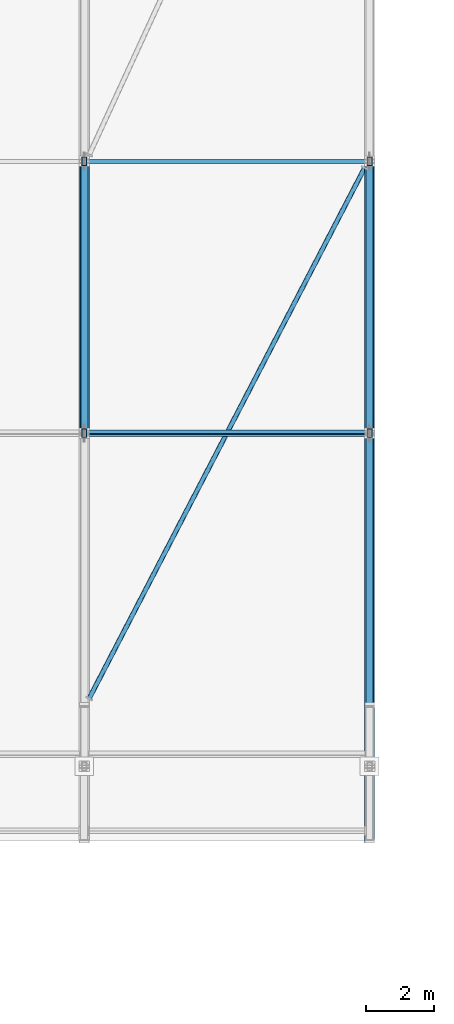
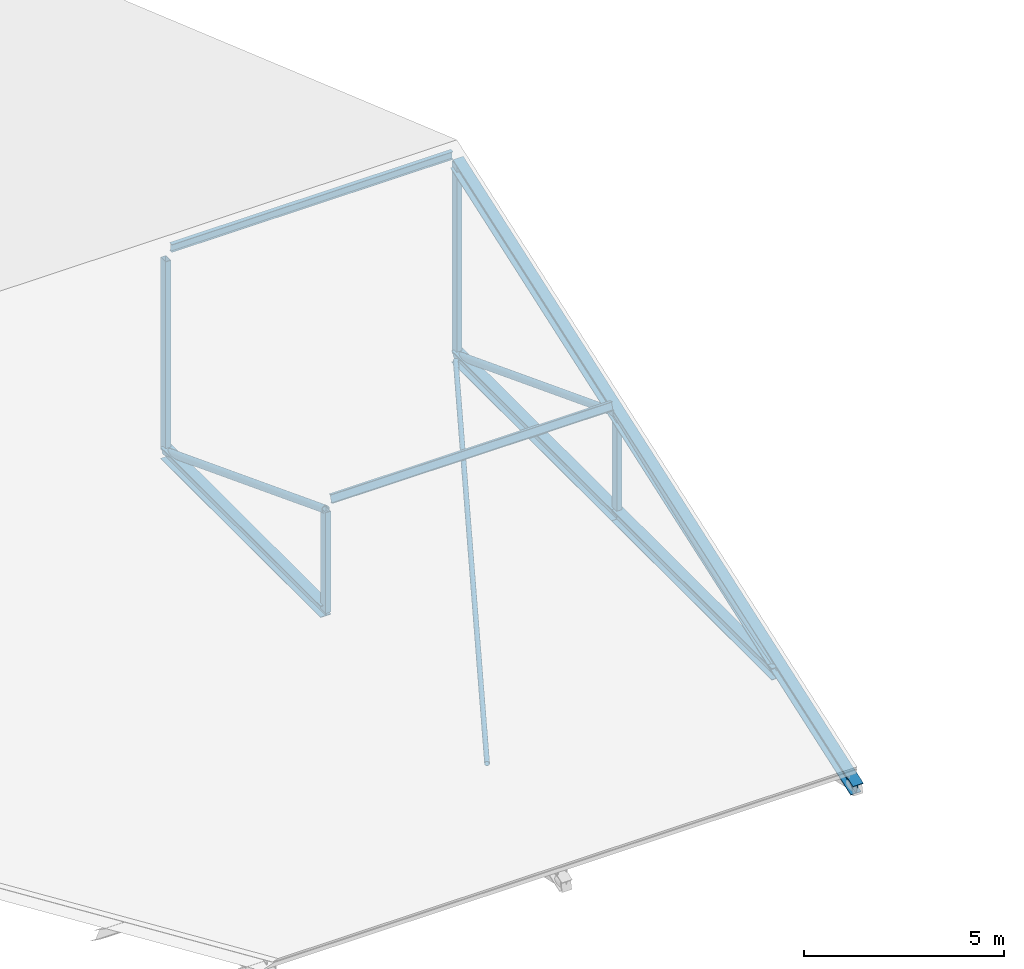
# One storey, part 7 of 57: 13 members, 1 beam.
"""IFC4 building model written with IfcOpenShell, lengths in metres."""

import ifcopenshell
import ifcopenshell.guid

model = None  # the IFC model being written
_history = None  # IfcOwnerHistory: only IFC2X3 demands one
_inside = {}  # id of a spatial element -> (the spatial element, [elements in it])
_under = {}  # id of a project, library or spatial element -> (it, [spatial elements below it])
_declared = {}  # id of a project -> (the project, [libraries it declares])
_typed = {}  # id of a type object -> (the type object, [elements of that type])
_made_of = {}  # id of a material, layer set ... -> (it, [elements and type objects made of it])


def new_model(schema):
    """Start an empty IFC model of exactly this schema.

    Asked for "IFC4X3", IfcOpenShell would pick the latest addendum, in which some entities
    have other attributes; the version numbers below select the first issue.
    IFC2X3 requires an IfcOwnerHistory on every rooted entity: one is made here for all.
    """
    global model, _history
    if schema == "IFC4X3":
        model = ifcopenshell.file(schema_version=(4, 3, 0, 0))
    else:
        model = ifcopenshell.file(schema=schema)
    _inside.clear()
    _under.clear()
    _declared.clear()
    _typed.clear()
    _made_of.clear()
    _history = None
    if model.schema == "IFC2X3":
        org = make("IfcOrganization", Name="unknown")
        user = make(
            "IfcPersonAndOrganization",
            ThePerson=make("IfcPerson", FamilyName="unknown"),
            TheOrganization=org,
        )
        app = make(
            "IfcApplication",
            ApplicationDeveloper=org,
            Version="unknown",
            ApplicationFullName="unknown",
            ApplicationIdentifier="unknown",
        )
        _history = make(
            "IfcOwnerHistory",
            OwningUser=user,
            OwningApplication=app,
            ChangeAction="ADDED",
            CreationDate=0,
        )
    return model


def make(cls, **values):
    """One entity of the class cls with the attributes given. An attribute that is None is left unset."""
    return model.create_entity(
        cls, **{name: value for name, value in values.items() if value is not None}
    )


def rooted(cls, **values):
    """An entity with a GlobalId (a new one), such as an element, a storey or a relation."""
    return make(cls, GlobalId=ifcopenshell.guid.new(), OwnerHistory=_history, **values)


def si_unit(unit_type, name, prefix=None):
    """IfcSIUnit, for example si_unit("LENGTHUNIT", "METRE", prefix="MILLI")."""
    return make("IfcSIUnit", UnitType=unit_type, Prefix=prefix, Name=name)


def assignment(units):
    """IfcUnitAssignment: the units of a project."""
    return None if units is None else make("IfcUnitAssignment", Units=units)


def point(xyz):
    """IfcCartesianPoint."""
    return None if xyz is None else make("IfcCartesianPoint", Coordinates=xyz)


def direction(xyz):
    """IfcDirection."""
    return None if xyz is None else make("IfcDirection", DirectionRatios=xyz)


def frame(location, z_axis=None, x_axis=None):
    """IfcAxis2Placement3D, a coordinate frame: its origin and axes. An axis left out is left unset."""
    return make(
        "IfcAxis2Placement3D",
        Location=point(location),
        Axis=direction(z_axis),
        RefDirection=direction(x_axis),
    )


def frame_2d(location, x_axis=None):
    """IfcAxis2Placement2D, a coordinate frame in the plane: its origin and x axis."""
    return make(
        "IfcAxis2Placement2D", Location=point(location), RefDirection=direction(x_axis)
    )


def origin():
    """The frame at (0, 0, 0) with its axes left unset."""
    return frame((0.0, 0.0, 0.0))


def origin_2d():
    """The frame at (0, 0) in the plane with its x axis left unset."""
    return frame_2d((0.0, 0.0))


def place(relative_to, where):
    """IfcLocalPlacement: puts the frame where relative to a parent placement (None: the world)."""
    return make(
        "IfcLocalPlacement", PlacementRelTo=relative_to, RelativePlacement=where
    )


def context(
    kind, dimensions, precision=None, world=None, true_north=None, identifier=None
):
    """IfcGeometricRepresentationContext, for example the 3D "Model" context."""
    return make(
        "IfcGeometricRepresentationContext",
        ContextIdentifier=identifier,
        ContextType=kind,
        CoordinateSpaceDimension=dimensions,
        Precision=precision,
        WorldCoordinateSystem=world,
        TrueNorth=true_north,
    )


def subcontext(parent, identifier, kind, view, scale=None):
    """IfcGeometricRepresentationSubContext, for example "Body" below "Model"."""
    return make(
        "IfcGeometricRepresentationSubContext",
        ContextIdentifier=identifier,
        ContextType=kind,
        ParentContext=parent,
        TargetScale=scale,
        TargetView=view,
    )


def project(units=None, contexts=None):
    """IfcProject with its units and contexts."""
    return rooted(
        "IfcProject",
        Name="project",
        RepresentationContexts=contexts,
        UnitsInContext=assignment(units),
    )


def spatial(cls, under=None, at=None, **own):
    """A site, building, storey or space (cls), placed at a placement, below another one or the project."""
    s = rooted(cls, ObjectPlacement=at, **own)
    if under is not None:
        _under.setdefault(under.id(), (under, []))[1].append(s)
    return s


def profile(cls, at=None, kind="AREA", **sizes):
    """A parametric profile (cls). Its sizes go by their IFC names, for example OverallWidth=200.0."""
    return make(cls, ProfileType=kind, Position=at, **sizes)


def hollow_rectangle(**sizes):
    """IfcRectangleHollowProfileDef."""
    return profile("IfcRectangleHollowProfileDef", **sizes)


def hollow_circle(**sizes):
    """IfcCircleHollowProfileDef."""
    return profile("IfcCircleHollowProfileDef", **sizes)


def i_section(**sizes):
    """IfcIShapeProfileDef."""
    return profile("IfcIShapeProfileDef", **sizes)


def extrude(swept, where, along, depth):
    """IfcExtrudedAreaSolid: the profile swept, set in the frame where, extruded along a direction by depth."""
    return make(
        "IfcExtrudedAreaSolid",
        SweptArea=swept,
        Position=where,
        ExtrudedDirection=direction(along),
        Depth=depth,
    )


def shape(context_of_items, identifier, shape_type, items):
    """IfcShapeRepresentation: the items that make up one representation, for example the "Body"."""
    return make(
        "IfcShapeRepresentation",
        ContextOfItems=context_of_items,
        RepresentationIdentifier=identifier,
        RepresentationType=shape_type,
        Items=items,
    )


def material(Name=None, Category=None):
    """IfcMaterial."""
    return make("IfcMaterial", Name=Name, Category=Category)


def material_profile(
    of_material, cross_section, Name=None, Category=None, Priority=None
):
    """IfcMaterialProfile: a cross section and its material."""
    return make(
        "IfcMaterialProfile",
        Name=Name,
        Material=of_material,
        Profile=cross_section,
        Priority=Priority,
        Category=Category,
    )


def profile_set(profiles, Name=None, composite=None):
    """IfcMaterialProfileSet."""
    return make(
        "IfcMaterialProfileSet",
        Name=Name,
        MaterialProfiles=profiles,
        CompositeProfile=composite,
    )


def made_of(thing, what):
    """Note that an element or type object is made of a material, layer set ...; save() writes the relation."""
    if what is not None:
        _made_of.setdefault(what.id(), (what, []))[1].append(thing)
    return thing


def type_object(cls, material=None, **own):
    """A type object (cls), such as IfcWallType, which elements share."""
    return made_of(rooted(cls, **own), material)


def element(
    cls,
    number,
    at=None,
    inside=None,
    cuts=None,
    type_object=None,
    material=None,
    context=None,
    identifier="Body",
    shape_type=None,
    held_by="IfcProductDefinitionShape",
    body=None,
    shapes=None,
    **own,
):
    """One element of the class cls, such as IfcWall. Its Tag is "e" and its number.

    at: its placement. inside: the storey or other place that contains it. cuts: it is an
    opening in that element (IfcRelVoidsElement). A single representation is given by context,
    identifier, shape_type and body (its items); several are given by shapes. held_by: the class
    of the entity that holds the representations. save() writes the other relations.
    """
    e = rooted(cls, Tag="e%d" % number, ObjectPlacement=at, **own)
    if body is not None:
        shapes = [shape(context, identifier, shape_type, body)]
    if shapes is not None:
        e.Representation = make(held_by, Representations=shapes)
    if inside is not None:
        _inside.setdefault(inside.id(), (inside, []))[1].append(e)
    if cuts is not None:
        rooted(
            "IfcRelVoidsElement", RelatingBuildingElement=cuts, RelatedOpeningElement=e
        )
    if type_object is not None:
        _typed.setdefault(type_object.id(), (type_object, []))[1].append(e)
    return made_of(e, material)


def aggregate(whole, parts):
    """IfcRelAggregates: a whole, such as a stair, and the parts it consists of."""
    return rooted("IfcRelAggregates", RelatingObject=whole, RelatedObjects=parts)


def save(model, path):
    """Write the relations noted so far, then the file.

    IfcRelAggregates (storeys below a building ...), IfcRelContainedInSpatialStructure (elements
    in a storey), IfcRelDefinesByType, IfcRelAssociatesMaterial and IfcRelDeclares: one each for
    every whole, place, type object, material and project.
    """
    for whole, parts in _under.values():
        aggregate(whole, parts)
    for where, things in _inside.values():
        rooted(
            "IfcRelContainedInSpatialStructure",
            RelatedElements=things,
            RelatingStructure=where,
        )
    for kind, things in _typed.values():
        rooted("IfcRelDefinesByType", RelatedObjects=things, RelatingType=kind)
    for what, things in _made_of.values():
        rooted("IfcRelAssociatesMaterial", RelatedObjects=things, RelatingMaterial=what)
    for by, libraries in _declared.values():
        rooted("IfcRelDeclares", RelatingContext=by, RelatedDefinitions=libraries)
    model.write(path)


model = new_model("IFC4")

# Units and contexts
model_context = context("Model", 3, precision=1e-05, world=origin(), true_north=direction((0.0, 1.0)))
body_context = subcontext(model_context, "Body", "Model", "MODEL_VIEW")
ifc_project = project(units=[si_unit("LENGTHUNIT", "METRE"), si_unit("AREAUNIT", "SQUARE_METRE"), si_unit("VOLUMEUNIT", "CUBIC_METRE"), si_unit("PLANEANGLEUNIT", "RADIAN"), si_unit("MASSUNIT", "GRAM", prefix="KILO")], contexts=[model_context])

# Site, building, storey
site_placement = place(None, origin())
site = spatial("IfcSite", under=ifc_project, at=site_placement, CompositionType="ELEMENT")
building_placement = place(site_placement, origin())
building = spatial("IfcBuilding", under=site, at=building_placement, Name="Kelarvand Opera House", CompositionType="ELEMENT")
storey_placement = place(building_placement, frame((0.0, 0.0, 33.60009765625)))
storey = spatial("IfcBuildingStorey", under=building, at=storey_placement, Name="Roof", CompositionType="ELEMENT", Elevation=33.60009765625)

# Members
ifc_material = material(Name="Steel S355", Category="steel")
ifc_material_profile_1 = material_profile(ifc_material, hollow_circle(Radius=0.06982421875, WallThickness=0.00634765625, at=origin_2d()), Name="CHS 139.7x6.3", Category="steel")
ifc_profile_set_1 = profile_set([ifc_material_profile_1], Name="Steel S355")
member_type_1 = type_object("IfcMemberType", Name="Structural Brace CHS 139.7x6.3 BR-CHS140", PredefinedType="BRACE", material=ifc_profile_set_1)
member_1_placement = place(storey_placement, frame((42.75, 89.199951171875, -13.580078125), z_axis=(0.460817374464, 0.887494984432, 0.0), x_axis=(-0.887494984432, 0.460817374464, 0.0)))
element("IfcMember", 1, at=member_1_placement, inside=storey, type_object=member_type_1, Name="V3 Roof Wind Brace 5.1", PredefinedType="BRACE", context=body_context, shape_type="SweptSolid", body=[
    extrude(hollow_circle(Radius=0.06982421875, WallThickness=0.00634765625, at=origin_2d()), origin(), (0.0, 0.0, 1.0), 17.57763671875),
])
ifc_material_profile_2 = material_profile(ifc_material, hollow_circle(Radius=0.109619140625, WallThickness=0.010009765625, at=origin_2d()), Name="CHS 219.1x10.0", Category="steel")
ifc_profile_set_2 = profile_set([ifc_material_profile_2], Name="Steel S355")
member_type_2 = type_object("IfcMemberType", Name="Structural Brace CHS 219.1x10.0 BR-CHS219", PredefinedType="BRACE", material=ifc_profile_set_2)
for number, where, z_axis, x_axis, name in (
    (2, (42.60009765625, 97.0, -10.5029296875), (0.0, 0.933336796692, -0.3590019832), (-1.0, 0.0, 0.0), "V3 Roof Truss 5 Web Diagonal 2"),
    (3, (51.0, 89.0, -13.580078125), (0.0, 0.933336796692, 0.3590019832), (-1.0, 0.0, 0.0), "V3 Roof Truss 6 Web Diagonal 1"),
    (4, (51.0, 97.0, -10.5029296875), (0.0, 0.933336796692, -0.3590019832), (-1.0, 0.0, 0.0), "V3 Roof Truss 6 Web Diagonal 2"),
):
    element("IfcMember", number, at=place(storey_placement, frame(where, z_axis=z_axis, x_axis=x_axis)), inside=storey, type_object=member_type_2, Name=name, PredefinedType="BRACE", context=body_context, shape_type="SweptSolid", body=[
        extrude(hollow_circle(Radius=0.109619140625, WallThickness=0.010009765625, at=origin_2d()), origin(), (0.0, 0.0, 1.0), 8.5712890625),
    ])
ifc_material_profile_3 = material_profile(ifc_material, i_section(OverallWidth=0.300048828125, OverallDepth=0.360107421875, WebThickness=0.012451171875, FlangeThickness=0.0224609375, at=origin_2d()), Name="HEB 360", Category="steel")
ifc_profile_set_3 = profile_set([ifc_material_profile_3], Name="Steel S355")
member_type_3 = type_object("IfcMemberType", Name="Structural Chord HEB 360 CH-HEB360", PredefinedType="CHORD", material=ifc_profile_set_3)
for number, where, z_axis, x_axis, name in (
    (5, (42.60009765625, 97.0, -13.580078125), (0.0, 1.0, 0.0), (-1.0, 0.0, 0.0), "V3 Roof Truss 5 Bottom Chord 2"),
    (6, (51.0, 89.0, -13.580078125), (0.0, 1.0, 0.0), (-1.0, 0.0, 0.0), "V3 Roof Truss 6 Bottom Chord 1"),
    (7, (51.0, 97.0, -13.580078125), (0.0, 1.0, 0.0), (-1.0, 0.0, 0.0), "V3 Roof Truss 6 Bottom Chord 2"),
):
    element("IfcMember", number, at=place(storey_placement, frame(where, z_axis=z_axis, x_axis=x_axis)), inside=storey, type_object=member_type_3, Name=name, PredefinedType="CHORD", context=body_context, shape_type="SweptSolid", body=[
        extrude(i_section(OverallWidth=0.300048828125, OverallDepth=0.360107421875, WebThickness=0.012451171875, FlangeThickness=0.0224609375, at=origin_2d()), origin(), (0.0, 0.0, 1.0), 8.0),
    ])
ifc_material_profile_4 = material_profile(ifc_material, hollow_rectangle(XDim=0.14990234375, YDim=0.25, WallThickness=0.010009765625, at=origin_2d()), Name="RHS 250x150x10.0", Category="steel")
ifc_profile_set_4 = profile_set([ifc_material_profile_4], Name="Steel S355")
member_type_4 = type_object("IfcMemberType", Name="Structural Post RHS 250x150x10.0 PS-RHS250", PredefinedType="POST", material=ifc_profile_set_4)
member_2_placement = place(storey_placement, frame((42.60009765625, 97.0, -13.580078125), z_axis=(0.0, 0.0, 1.0), x_axis=(1.0, 0.0, 0.0)))
element("IfcMember", 8, at=member_2_placement, inside=storey, type_object=member_type_4, Name="V3 Roof Truss 5 Post 1", PredefinedType="POST", context=body_context, shape_type="SweptSolid", body=[
    extrude(hollow_rectangle(XDim=0.14990234375, YDim=0.25, WallThickness=0.010009765625, at=origin_2d()), origin(), (0.0, 0.0, 1.0), 3.0771484375),
])
member_3_placement = place(storey_placement, frame((42.60009765625, 105.0, -13.580078125), z_axis=(0.0, 0.0, 1.0), x_axis=(1.0, 0.0, 0.0)))
element("IfcMember", 9, at=member_3_placement, inside=storey, type_object=member_type_4, Name="V3 Roof Truss 5 Post 2", PredefinedType="POST", context=body_context, shape_type="SweptSolid", body=[
    extrude(hollow_rectangle(XDim=0.14990234375, YDim=0.25, WallThickness=0.010009765625, at=origin_2d()), origin(), (0.0, 0.0, 1.0), 5.877197265625),
])
member_4_placement = place(storey_placement, frame((51.0, 97.0, -13.580078125), z_axis=(0.0, 0.0, 1.0), x_axis=(1.0, 0.0, 0.0)))
element("IfcMember", 10, at=member_4_placement, inside=storey, type_object=member_type_4, Name="V3 Roof Truss 6 Post 1", PredefinedType="POST", context=body_context, shape_type="SweptSolid", body=[
    extrude(hollow_rectangle(XDim=0.14990234375, YDim=0.25, WallThickness=0.010009765625, at=origin_2d()), origin(), (0.0, 0.0, 1.0), 3.0771484375),
])
member_5_placement = place(storey_placement, frame((51.0, 105.0, -13.580078125), z_axis=(0.0, 0.0, 1.0), x_axis=(1.0, 0.0, 0.0)))
element("IfcMember", 11, at=member_5_placement, inside=storey, type_object=member_type_4, Name="V3 Roof Truss 6 Post 2", PredefinedType="POST", context=body_context, shape_type="SweptSolid", body=[
    extrude(hollow_rectangle(XDim=0.14990234375, YDim=0.25, WallThickness=0.010009765625, at=origin_2d()), origin(), (0.0, 0.0, 1.0), 5.877197265625),
])
ifc_material_profile_5 = material_profile(ifc_material, i_section(OverallWidth=0.1201171875, OverallDepth=0.239990234375, WebThickness=0.006103515625, FlangeThickness=0.009765625, at=origin_2d()), Name="IPE 240", Category="steel")
ifc_profile_set_5 = profile_set([ifc_material_profile_5], Name="Steel S355")
member_type_5 = type_object("IfcMemberType", Name="Structural Purlin IPE 240 PR-IPE240", PredefinedType="PURLIN", material=ifc_profile_set_5)
for number, where, z_axis, x_axis, name in (
    (12, (42.739990234375, 97.0, -10.226806640625), (1.0, 0.0, 0.0), (0.0, 0.943858622852, -0.330349663339), "V3 Roof Purlin 5.3"),
    (13, (42.739990234375, 105.0, -7.413818359375), (1.0, 0.0, 0.0), (0.0, 1.0, 0.0), "V3 Roof Purlin 5.4"),
):
    element("IfcMember", number, at=place(storey_placement, frame(where, z_axis=z_axis, x_axis=x_axis)), inside=storey, type_object=member_type_5, Name=name, PredefinedType="PURLIN", context=body_context, shape_type="SweptSolid", body=[
        extrude(i_section(OverallWidth=0.1201171875, OverallDepth=0.239990234375, WebThickness=0.006103515625, FlangeThickness=0.009765625, at=origin_2d()), origin(), (0.0, 0.0, 1.0), 8.1201171875),
    ])

# Beam
ifc_material_profile_6 = material_profile(ifc_material, i_section(OverallWidth=0.300048828125, OverallDepth=0.360107421875, WebThickness=0.012451171875, FlangeThickness=0.0224609375, at=origin_2d()), Name="HEB 360", Category="steel")
ifc_profile_set_6 = profile_set([ifc_material_profile_6], Name="Steel S355")
beam_type = type_object("IfcBeamType", Name="Structural Roof Truss HEB 360 RT-HEB360", PredefinedType="USERDEFINED", material=ifc_profile_set_6)
beam_placement = place(storey_placement, frame((51.0, 85.0, -14.702880859375), z_axis=(0.0, 0.943858356366, 0.330350424728), x_axis=(-1.0, 0.0, 0.0)))
element("IfcBeam", 14, at=beam_placement, inside=storey, type_object=beam_type, Name="V3 Roof Truss 6 Top Chord Rafter 1", ObjectType="ROOF TRUSS", PredefinedType="USERDEFINED", context=body_context, shape_type="SweptSolid", body=[
    extrude(i_section(OverallWidth=0.300048828125, OverallDepth=0.360107421875, WebThickness=0.012451171875, FlangeThickness=0.0224609375, at=origin_2d()), origin(), (0.0, 0.0, 1.0), 21.189697265625),
])

save(model, "model.ifc")
